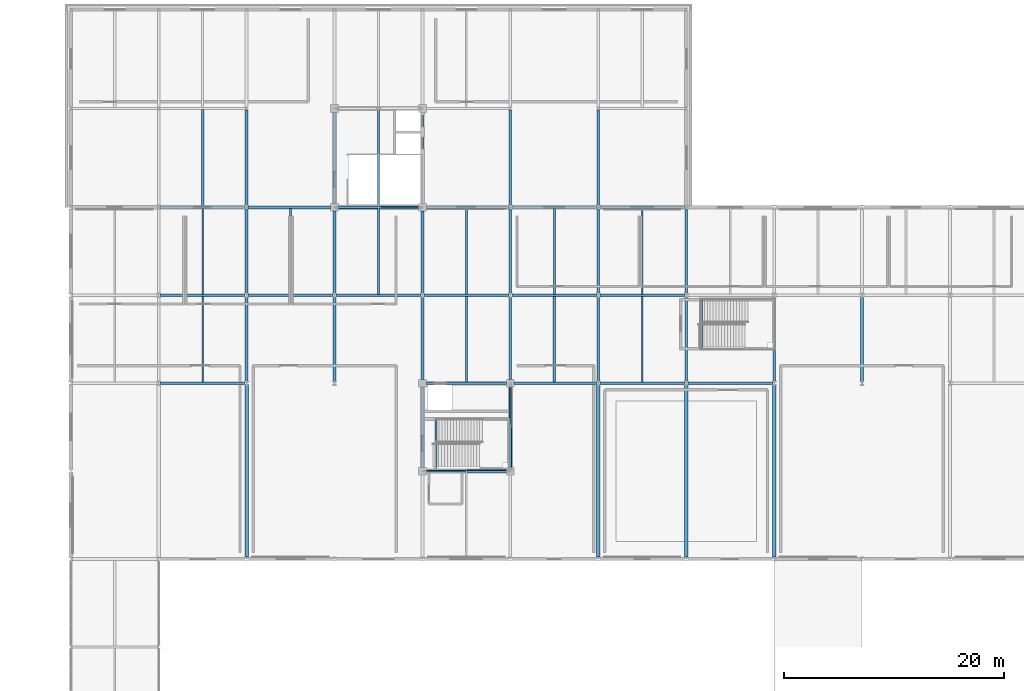
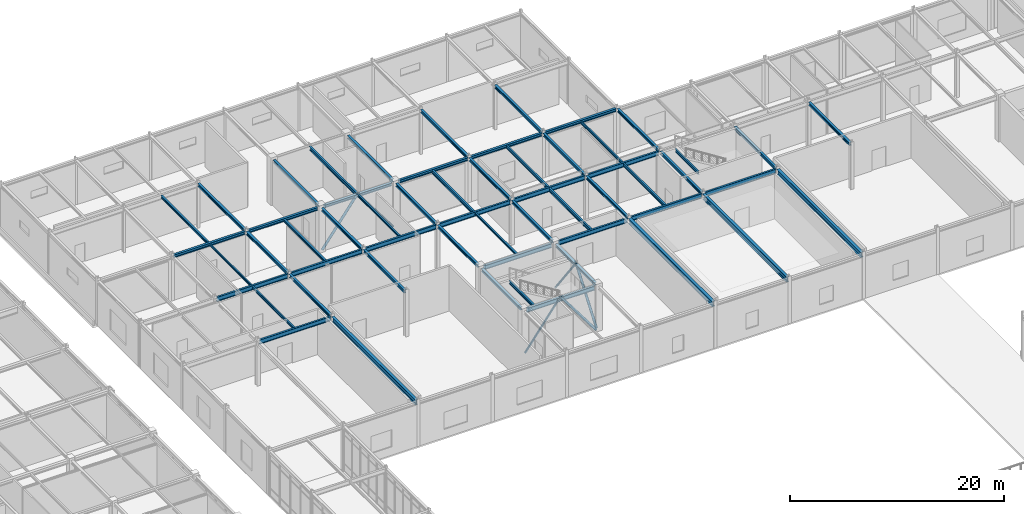
# One storey, part 46 of 108: 57 beams, 6 members.
"""IFC4 building model written with IfcOpenShell, lengths in metres."""

from ifc_helpers import new_model, si_unit, direction, frame, origin, origin_2d, place, context, subcontext, project, spatial, hollow_rectangle, hollow_circle, i_section, extrude, material, material_profile, profile_set, type_object, element, save


model = new_model("IFC4")

# Units and contexts
model_context = context("Model", 3, precision=1e-05, world=origin(), true_north=direction((0.0, 1.0)))
body_context = subcontext(model_context, "Body", "Model", "MODEL_VIEW")
ifc_project = project(units=[si_unit("LENGTHUNIT", "METRE"), si_unit("AREAUNIT", "SQUARE_METRE"), si_unit("VOLUMEUNIT", "CUBIC_METRE"), si_unit("PLANEANGLEUNIT", "RADIAN"), si_unit("MASSUNIT", "GRAM", prefix="KILO")], contexts=[model_context])

# Site, building, storey
site_placement = place(None, origin())
site = spatial("IfcSite", under=ifc_project, at=site_placement, CompositionType="ELEMENT")
building_placement = place(site_placement, origin())
building = spatial("IfcBuilding", under=site, at=building_placement, Name="Zhaolan Boulevard Law Courts", CompositionType="ELEMENT")
storey_placement = place(building_placement, frame((0.0, 0.0, 10.800048828125)))
storey = spatial("IfcBuildingStorey", under=building, at=storey_placement, Name="L02", CompositionType="ELEMENT", Elevation=10.800048828125)

# Members
ifc_material_1 = material(Name="Structural steel Q355B", Category="steel")
ifc_material_profile_1 = material_profile(ifc_material_1, hollow_circle(Radius=0.109619140625, WallThickness=0.008056640625, at=origin_2d()), Name="CHS219x8")
ifc_profile_set_1 = profile_set([ifc_material_profile_1], Name="Structural steel Q355B")
member_type_1 = type_object("IfcMemberType", Name="BRACE CHS219", PredefinedType="BRACE", material=ifc_profile_set_1)
for number, where, z_axis, x_axis, name in (
    (1, (92.0, 77.820068359375, 0.030029296875), (0.0, -0.60027004321, 0.79979739636), (1.0, 0.0, 0.0), "Core Brace BR-T1-L02-E2"),
    (2, (83.820068359375, 94.0, 0.030029296875), (-0.60027004321, 0.0, 0.79979739636), (0.0, -1.0, 0.0), "Core Brace BR-C1-L02-S2"),
):
    element("IfcMember", number, at=place(storey_placement, frame(where, z_axis=z_axis, x_axis=x_axis)), inside=storey, type_object=member_type_1, Name=name, PredefinedType="BRACE", context=body_context, shape_type="SweptSolid", body=[
        extrude(hollow_circle(Radius=0.109619140625, WallThickness=0.008056640625, at=origin_2d()), origin(), (0.0, 0.0, 1.0), 6.364013671875),
    ])
ifc_material_2 = material(Name="Structural steel Q355B", Category="steel")
ifc_material_profile_2 = material_profile(ifc_material_2, hollow_circle(Radius=0.136474609375, WallThickness=0.010009765625, at=origin_2d()), Name="CHS273x10")
ifc_profile_set_2 = profile_set([ifc_material_profile_2], Name="Structural steel Q355B")
member_type_2 = type_object("IfcMemberType", Name="BRACE CHS273", PredefinedType="BRACE", material=ifc_profile_set_2)
for number, where, z_axis, x_axis, name in (
    (3, (91.820068359375, 70.0, 0.030029296875), (-0.60027004321, 0.0, 0.79979739636), (0.0, -1.0, 0.0), "Core Brace BR-T1-L02-S2"),
    (4, (92.0, 70.179931640625, 0.030029296875), (0.0, 0.60027004321, 0.79979739636), (-1.0, 0.0, 0.0), "Core Brace BR-T1-L02-E1"),
    (5, (76.179931640625, 94.0, 0.030029296875), (0.60027004321, 0.0, 0.79979739636), (0.0, 1.0, 0.0), "Core Brace BR-C1-L02-S1"),
):
    element("IfcMember", number, at=place(storey_placement, frame(where, z_axis=z_axis, x_axis=x_axis)), inside=storey, type_object=member_type_2, Name=name, PredefinedType="BRACE", context=body_context, shape_type="SweptSolid", body=[
        extrude(hollow_circle(Radius=0.136474609375, WallThickness=0.010009765625, at=origin_2d()), origin(), (0.0, 0.0, 1.0), 6.364013671875),
    ])
ifc_material_3 = material(Name="Structural steel Q355B", Category="steel")
ifc_material_profile_3 = material_profile(ifc_material_3, hollow_rectangle(XDim=0.159912109375, YDim=0.159912109375, WallThickness=0.008056640625, InnerFilletRadius=0.008056640625, OuterFilletRadius=0.01611328125, at=origin_2d()), Name="HSS160x160x8")
ifc_profile_set_3 = profile_set([ifc_material_profile_3], Name="Structural steel Q355B")
member_type_3 = type_object("IfcMemberType", Name="BRACE HSS160", PredefinedType="BRACE", material=ifc_profile_set_3)
member_placement = place(storey_placement, frame((84.179931640625, 70.0, 0.030029296875), z_axis=(0.60027004321, 0.0, 0.79979739636), x_axis=(0.0, 1.0, 0.0)))
element("IfcMember", 6, at=member_placement, inside=storey, type_object=member_type_3, Name="Core Brace BR-T1-L02-S1", PredefinedType="BRACE", context=body_context, shape_type="SweptSolid", body=[
    extrude(hollow_rectangle(XDim=0.159912109375, YDim=0.159912109375, WallThickness=0.008056640625, InnerFilletRadius=0.008056640625, OuterFilletRadius=0.01611328125, at=origin_2d()), origin(), (0.0, 0.0, 1.0), 6.364013671875),
])

# Beams
ifc_material_4 = material(Name="Structural steel Q355B", Category="steel")
ifc_material_profile_4 = material_profile(ifc_material_4, i_section(OverallWidth=0.25, OverallDepth=0.340087890625, WebThickness=0.009033203125, FlangeThickness=0.013916015625, FilletRadius=0.01611328125, at=origin_2d()), Name="HM340x250")
ifc_profile_set_4 = profile_set([ifc_material_profile_4], Name="Structural steel Q355B")
beam_type_1 = type_object("IfcBeamType", Name="GIRDER HM340", PredefinedType="BEAM", material=ifc_profile_set_4)
for number, where, z_axis, x_axis, name in (
    (7, (68.0, 78.1708984375, 4.947998046875), (0.0, 1.0, 0.0), (-1.0, 0.0, 0.0), "Beam BY-L03-9-L-M"),
    (8, (68.0, 86.1708984375, 4.947998046875), (0.0, 1.0, 0.0), (-1.0, 0.0, 0.0), "Beam BY-L03-9-M-N"),
):
    element("IfcBeam", number, at=place(storey_placement, frame(where, z_axis=z_axis, x_axis=x_axis)), inside=storey, type_object=beam_type_1, Name=name, PredefinedType="BEAM", context=body_context, shape_type="SweptSolid", body=[
        extrude(i_section(OverallWidth=0.25, OverallDepth=0.340087890625, WebThickness=0.009033203125, FlangeThickness=0.013916015625, FilletRadius=0.01611328125, at=origin_2d()), origin(), (0.0, 0.0, 1.0), 7.658203125),
    ])
beam_1_placement = place(storey_placement, frame((68.0, 94.1708984375, 4.968017578125), z_axis=(0.0, 1.0, 0.0), x_axis=(-1.0, 0.0, 0.0)))
element("IfcBeam", 9, at=beam_1_placement, inside=storey, type_object=beam_type_1, Name="Beam BY-L03-9-N-P", PredefinedType="BEAM", context=body_context, shape_type="SweptSolid", body=[
    extrude(i_section(OverallWidth=0.25, OverallDepth=0.340087890625, WebThickness=0.009033203125, FlangeThickness=0.013916015625, FilletRadius=0.01611328125, at=origin_2d()), origin(), (0.0, 0.0, 1.0), 8.7080078125),
])
beam_2_placement = place(storey_placement, frame((76.0, 78.1708984375, 4.947998046875), z_axis=(0.0, 1.0, 0.0), x_axis=(-1.0, 0.0, 0.0)))
element("IfcBeam", 10, at=beam_2_placement, inside=storey, type_object=beam_type_1, Name="Beam BY-L03-10-L-M", PredefinedType="BEAM", context=body_context, shape_type="SweptSolid", body=[
    extrude(i_section(OverallWidth=0.25, OverallDepth=0.340087890625, WebThickness=0.009033203125, FlangeThickness=0.013916015625, FilletRadius=0.01611328125, at=origin_2d()), origin(), (0.0, 0.0, 1.0), 7.658203125),
])
beam_3_placement = place(storey_placement, frame((76.0, 86.1708984375, 4.947998046875), z_axis=(0.0, 1.0, 0.0), x_axis=(-1.0, 0.0, 0.0)))
element("IfcBeam", 11, at=beam_3_placement, inside=storey, type_object=beam_type_1, Name="Beam BY-L03-10-M-N", PredefinedType="BEAM", context=body_context, shape_type="SweptSolid", body=[
    extrude(i_section(OverallWidth=0.25, OverallDepth=0.340087890625, WebThickness=0.009033203125, FlangeThickness=0.013916015625, FilletRadius=0.01611328125, at=origin_2d()), origin(), (0.0, 0.0, 1.0), 7.483154296875),
])
beam_4_placement = place(storey_placement, frame((76.0, 94.345947265625, 4.968017578125), z_axis=(0.0, 1.0, 0.0), x_axis=(-1.0, 0.0, 0.0)))
element("IfcBeam", 12, at=beam_4_placement, inside=storey, type_object=beam_type_1, Name="Beam BY-L03-10-N-P", PredefinedType="BEAM", context=body_context, shape_type="SweptSolid", body=[
    extrude(i_section(OverallWidth=0.25, OverallDepth=0.340087890625, WebThickness=0.009033203125, FlangeThickness=0.013916015625, FilletRadius=0.01611328125, at=origin_2d()), origin(), (0.0, 0.0, 1.0), 8.30810546875),
])
beam_5_placement = place(storey_placement, frame((84.0, 70.345947265625, 4.947998046875), z_axis=(0.0, 1.0, 0.0), x_axis=(-1.0, 0.0, 0.0)))
element("IfcBeam", 13, at=beam_5_placement, inside=storey, type_object=beam_type_1, Name="Beam BY-L03-11-K-L", PredefinedType="BEAM", context=body_context, shape_type="SweptSolid", body=[
    extrude(i_section(OverallWidth=0.25, OverallDepth=0.340087890625, WebThickness=0.009033203125, FlangeThickness=0.013916015625, FilletRadius=0.01611328125, at=origin_2d()), origin(), (0.0, 0.0, 1.0), 7.30810546875),
])
for number, where, z_axis, x_axis, name in (
    (14, (84.0, 78.345947265625, 4.947998046875), (0.0, 1.0, 0.0), (-1.0, 0.0, 0.0), "Beam BY-L03-11-L-M"),
    (15, (84.0, 86.1708984375, 4.947998046875), (0.0, 1.0, 0.0), (-1.0, 0.0, 0.0), "Beam BY-L03-11-M-N"),
):
    element("IfcBeam", number, at=place(storey_placement, frame(where, z_axis=z_axis, x_axis=x_axis)), inside=storey, type_object=beam_type_1, Name=name, PredefinedType="BEAM", context=body_context, shape_type="SweptSolid", body=[
        extrude(i_section(OverallWidth=0.25, OverallDepth=0.340087890625, WebThickness=0.009033203125, FlangeThickness=0.013916015625, FilletRadius=0.01611328125, at=origin_2d()), origin(), (0.0, 0.0, 1.0), 7.483154296875),
    ])
beam_6_placement = place(storey_placement, frame((84.0, 94.345947265625, 4.968017578125), z_axis=(0.0, 1.0, 0.0), x_axis=(-1.0, 0.0, 0.0)))
element("IfcBeam", 16, at=beam_6_placement, inside=storey, type_object=beam_type_1, Name="Beam BY-L03-11-N-P", PredefinedType="BEAM", context=body_context, shape_type="SweptSolid", body=[
    extrude(i_section(OverallWidth=0.25, OverallDepth=0.340087890625, WebThickness=0.009033203125, FlangeThickness=0.013916015625, FilletRadius=0.01611328125, at=origin_2d()), origin(), (0.0, 0.0, 1.0), 8.30810546875),
])
beam_7_placement = place(storey_placement, frame((92.0, 70.345947265625, 4.947998046875), z_axis=(0.0, 1.0, 0.0), x_axis=(-1.0, 0.0, 0.0)))
element("IfcBeam", 17, at=beam_7_placement, inside=storey, type_object=beam_type_1, Name="Beam BY-L03-12-K-L", PredefinedType="BEAM", context=body_context, shape_type="SweptSolid", body=[
    extrude(i_section(OverallWidth=0.25, OverallDepth=0.340087890625, WebThickness=0.009033203125, FlangeThickness=0.013916015625, FilletRadius=0.01611328125, at=origin_2d()), origin(), (0.0, 0.0, 1.0), 7.30810546875),
])
beam_8_placement = place(storey_placement, frame((92.0, 78.345947265625, 4.947998046875), z_axis=(0.0, 1.0, 0.0), x_axis=(-1.0, 0.0, 0.0)))
element("IfcBeam", 18, at=beam_8_placement, inside=storey, type_object=beam_type_1, Name="Beam BY-L03-12-L-M", PredefinedType="BEAM", context=body_context, shape_type="SweptSolid", body=[
    extrude(i_section(OverallWidth=0.25, OverallDepth=0.340087890625, WebThickness=0.009033203125, FlangeThickness=0.013916015625, FilletRadius=0.01611328125, at=origin_2d()), origin(), (0.0, 0.0, 1.0), 7.483154296875),
])
beam_9_placement = place(storey_placement, frame((92.0, 86.1708984375, 4.947998046875), z_axis=(0.0, 1.0, 0.0), x_axis=(-1.0, 0.0, 0.0)))
element("IfcBeam", 19, at=beam_9_placement, inside=storey, type_object=beam_type_1, Name="Beam BY-L03-12-M-N", PredefinedType="BEAM", context=body_context, shape_type="SweptSolid", body=[
    extrude(i_section(OverallWidth=0.25, OverallDepth=0.340087890625, WebThickness=0.009033203125, FlangeThickness=0.013916015625, FilletRadius=0.01611328125, at=origin_2d()), origin(), (0.0, 0.0, 1.0), 7.658203125),
])
beam_10_placement = place(storey_placement, frame((92.0, 94.1708984375, 4.968017578125), z_axis=(0.0, 1.0, 0.0), x_axis=(-1.0, 0.0, 0.0)))
element("IfcBeam", 20, at=beam_10_placement, inside=storey, type_object=beam_type_1, Name="Beam BY-L03-12-N-P", PredefinedType="BEAM", context=body_context, shape_type="SweptSolid", body=[
    extrude(i_section(OverallWidth=0.25, OverallDepth=0.340087890625, WebThickness=0.009033203125, FlangeThickness=0.013916015625, FilletRadius=0.01611328125, at=origin_2d()), origin(), (0.0, 0.0, 1.0), 8.7080078125),
])
for number, where, z_axis, x_axis, name in (
    (21, (100.0, 78.1708984375, 4.947998046875), (0.0, 1.0, 0.0), (-1.0, 0.0, 0.0), "Beam BY-L03-13-L-M"),
    (22, (100.0, 86.1708984375, 4.947998046875), (0.0, 1.0, 0.0), (-1.0, 0.0, 0.0), "Beam BY-L03-13-M-N"),
):
    element("IfcBeam", number, at=place(storey_placement, frame(where, z_axis=z_axis, x_axis=x_axis)), inside=storey, type_object=beam_type_1, Name=name, PredefinedType="BEAM", context=body_context, shape_type="SweptSolid", body=[
        extrude(i_section(OverallWidth=0.25, OverallDepth=0.340087890625, WebThickness=0.009033203125, FlangeThickness=0.013916015625, FilletRadius=0.01611328125, at=origin_2d()), origin(), (0.0, 0.0, 1.0), 7.658203125),
    ])
beam_11_placement = place(storey_placement, frame((100.0, 94.1708984375, 4.968017578125), z_axis=(0.0, 1.0, 0.0), x_axis=(-1.0, 0.0, 0.0)))
element("IfcBeam", 23, at=beam_11_placement, inside=storey, type_object=beam_type_1, Name="Beam BY-L03-13-N-P", PredefinedType="BEAM", context=body_context, shape_type="SweptSolid", body=[
    extrude(i_section(OverallWidth=0.25, OverallDepth=0.340087890625, WebThickness=0.009033203125, FlangeThickness=0.013916015625, FilletRadius=0.01611328125, at=origin_2d()), origin(), (0.0, 0.0, 1.0), 8.7080078125),
])
for number, where, z_axis, x_axis, name in (
    (24, (108.0, 78.1708984375, 4.947998046875), (0.0, 1.0, 0.0), (-1.0, 0.0, 0.0), "Beam BY-L03-14-L-M"),
    (25, (108.0, 86.1708984375, 4.947998046875), (0.0, 1.0, 0.0), (-1.0, 0.0, 0.0), "Beam BY-L03-14-M-N"),
    (26, (116.0, 78.1708984375, 4.947998046875), (0.0, 1.0, 0.0), (-1.0, 0.0, 0.0), "Beam BY-L03-15-L-M"),
    (27, (124.0, 78.1708984375, 4.947998046875), (0.0, 1.0, 0.0), (-1.0, 0.0, 0.0), "Beam BY-L03-16-L-M"),
):
    element("IfcBeam", number, at=place(storey_placement, frame(where, z_axis=z_axis, x_axis=x_axis)), inside=storey, type_object=beam_type_1, Name=name, PredefinedType="BEAM", context=body_context, shape_type="SweptSolid", body=[
        extrude(i_section(OverallWidth=0.25, OverallDepth=0.340087890625, WebThickness=0.009033203125, FlangeThickness=0.013916015625, FilletRadius=0.01611328125, at=origin_2d()), origin(), (0.0, 0.0, 1.0), 7.658203125),
    ])
ifc_material_5 = material(Name="Structural steel Q390B", Category="steel")
ifc_material_profile_5 = material_profile(ifc_material_5, i_section(OverallWidth=0.300048828125, OverallDepth=0.587890625, WebThickness=0.011962890625, FlangeThickness=0.02001953125, FilletRadius=0.02392578125, at=origin_2d()), Name="HM588x300")
ifc_profile_set_5 = profile_set([ifc_material_profile_5], Name="Structural steel Q390B")
beam_type_2 = type_object("IfcBeamType", Name="GIRDER HM588", PredefinedType="BEAM", material=ifc_profile_set_5)
for number, where, z_axis, x_axis, name in (
    (28, (68.0, 62.1708984375, 4.823974609375), (0.0, 1.0, 0.0), (-1.0, 0.0, 0.0), "Beam BY-L03-9-J-L"),
    (29, (100.0, 62.1708984375, 4.823974609375), (0.0, 1.0, 0.0), (-1.0, 0.0, 0.0), "Beam BY-L03-13-J-L"),
    (30, (108.0, 62.1708984375, 4.823974609375), (0.0, 1.0, 0.0), (-1.0, 0.0, 0.0), "Beam BY-L03-14-J-L"),
    (31, (116.0, 62.1708984375, 4.823974609375), (0.0, 1.0, 0.0), (-1.0, 0.0, 0.0), "Beam BY-L03-15-J-L"),
):
    element("IfcBeam", number, at=place(storey_placement, frame(where, z_axis=z_axis, x_axis=x_axis)), inside=storey, type_object=beam_type_2, Name=name, PredefinedType="BEAM", context=body_context, shape_type="SweptSolid", body=[
        extrude(i_section(OverallWidth=0.300048828125, OverallDepth=0.587890625, WebThickness=0.011962890625, FlangeThickness=0.02001953125, FilletRadius=0.02392578125, at=origin_2d()), origin(), (0.0, 0.0, 1.0), 15.658203125),
    ])
ifc_material_6 = material(Name="Structural steel Q355B", Category="steel")
ifc_material_profile_6 = material_profile(ifc_material_6, i_section(OverallWidth=0.199951171875, OverallDepth=0.5, WebThickness=0.010009765625, FlangeThickness=0.01611328125, FilletRadius=0.01806640625, at=origin_2d()), Name="HN500x200")
ifc_profile_set_6 = profile_set([ifc_material_profile_6], Name="Structural steel Q355B")
beam_type_3 = type_object("IfcBeamType", Name="GIRDER HN500", PredefinedType="BEAM", material=ifc_profile_set_6)
beam_12_placement = place(storey_placement, frame((84.345947265625, 70.0, 4.867919921875), z_axis=(1.0, 0.0, 0.0), x_axis=(0.0, 1.0, 0.0)))
element("IfcBeam", 32, at=beam_12_placement, inside=storey, type_object=beam_type_3, Name="Beam BX-L03-11-12-K", PredefinedType="BEAM", context=body_context, shape_type="SweptSolid", body=[
    extrude(i_section(OverallWidth=0.199951171875, OverallDepth=0.5, WebThickness=0.010009765625, FlangeThickness=0.01611328125, FilletRadius=0.01806640625, at=origin_2d()), origin(), (0.0, 0.0, 1.0), 7.30810546875),
])
beam_13_placement = place(storey_placement, frame((60.1708984375, 78.0, 4.867919921875), z_axis=(1.0, 0.0, 0.0), x_axis=(0.0, 1.0, 0.0)))
element("IfcBeam", 33, at=beam_13_placement, inside=storey, type_object=beam_type_3, Name="Beam BX-L03-8-9-L", PredefinedType="BEAM", context=body_context, shape_type="SweptSolid", body=[
    extrude(i_section(OverallWidth=0.199951171875, OverallDepth=0.5, WebThickness=0.010009765625, FlangeThickness=0.01611328125, FilletRadius=0.01806640625, at=origin_2d()), origin(), (0.0, 0.0, 1.0), 7.658203125),
])
beam_14_placement = place(storey_placement, frame((84.345947265625, 78.0, 4.867919921875), z_axis=(1.0, 0.0, 0.0), x_axis=(0.0, 1.0, 0.0)))
element("IfcBeam", 34, at=beam_14_placement, inside=storey, type_object=beam_type_3, Name="Beam BX-L03-11-12-L", PredefinedType="BEAM", context=body_context, shape_type="SweptSolid", body=[
    extrude(i_section(OverallWidth=0.199951171875, OverallDepth=0.5, WebThickness=0.010009765625, FlangeThickness=0.01611328125, FilletRadius=0.01806640625, at=origin_2d()), origin(), (0.0, 0.0, 1.0), 7.30810546875),
])
beam_15_placement = place(storey_placement, frame((92.345947265625, 78.0, 4.867919921875), z_axis=(1.0, 0.0, 0.0), x_axis=(0.0, 1.0, 0.0)))
element("IfcBeam", 35, at=beam_15_placement, inside=storey, type_object=beam_type_3, Name="Beam BX-L03-12-13-L", PredefinedType="BEAM", context=body_context, shape_type="SweptSolid", body=[
    extrude(i_section(OverallWidth=0.199951171875, OverallDepth=0.5, WebThickness=0.010009765625, FlangeThickness=0.01611328125, FilletRadius=0.01806640625, at=origin_2d()), origin(), (0.0, 0.0, 1.0), 7.483154296875),
])
for number, where, z_axis, x_axis, name in (
    (36, (100.1708984375, 78.0, 4.867919921875), (1.0, 0.0, 0.0), (0.0, 1.0, 0.0), "Beam BX-L03-13-14-L"),
    (37, (108.1708984375, 78.0, 4.867919921875), (1.0, 0.0, 0.0), (0.0, 1.0, 0.0), "Beam BX-L03-14-15-L"),
    (38, (60.1708984375, 86.0, 4.867919921875), (1.0, 0.0, 0.0), (0.0, 1.0, 0.0), "Beam BX-L03-8-9-M"),
    (39, (68.1708984375, 86.0, 4.867919921875), (1.0, 0.0, 0.0), (0.0, 1.0, 0.0), "Beam BX-L03-9-10-M"),
    (40, (76.1708984375, 86.0, 4.867919921875), (1.0, 0.0, 0.0), (0.0, 1.0, 0.0), "Beam BX-L03-10-11-M"),
    (41, (84.1708984375, 86.0, 4.867919921875), (1.0, 0.0, 0.0), (0.0, 1.0, 0.0), "Beam BX-L03-11-12-M"),
    (42, (92.1708984375, 86.0, 4.867919921875), (1.0, 0.0, 0.0), (0.0, 1.0, 0.0), "Beam BX-L03-12-13-M"),
    (43, (100.1708984375, 86.0, 4.867919921875), (1.0, 0.0, 0.0), (0.0, 1.0, 0.0), "Beam BX-L03-13-14-M"),
):
    element("IfcBeam", number, at=place(storey_placement, frame(where, z_axis=z_axis, x_axis=x_axis)), inside=storey, type_object=beam_type_3, Name=name, PredefinedType="BEAM", context=body_context, shape_type="SweptSolid", body=[
        extrude(i_section(OverallWidth=0.199951171875, OverallDepth=0.5, WebThickness=0.010009765625, FlangeThickness=0.01611328125, FilletRadius=0.01806640625, at=origin_2d()), origin(), (0.0, 0.0, 1.0), 7.658203125),
    ])
ifc_material_7 = material(Name="Structural steel Q355B", Category="steel")
ifc_material_profile_7 = material_profile(ifc_material_7, i_section(OverallWidth=0.175048828125, OverallDepth=0.243896484375, WebThickness=0.007080078125, FlangeThickness=0.010986328125, FilletRadius=0.012939453125, at=origin_2d()), Name="HM244x175")
ifc_profile_set_7 = profile_set([ifc_material_profile_7], Name="Structural steel Q355B")
beam_type_4 = type_object("IfcBeamType", Name="JOIST HM244", PredefinedType="JOIST", material=ifc_profile_set_7)
beam_16_placement = place(storey_placement, frame((80.0, 86.095947265625, 4.995849609375), z_axis=(0.0, 1.0, 0.0), x_axis=(-1.0, 0.0, 0.0)))
element("IfcBeam", 44, at=beam_16_placement, inside=storey, type_object=beam_type_4, Name="Composite Joist J-L03-10M", PredefinedType="JOIST", context=body_context, shape_type="SweptSolid", body=[
    extrude(i_section(OverallWidth=0.175048828125, OverallDepth=0.243896484375, WebThickness=0.007080078125, FlangeThickness=0.010986328125, FilletRadius=0.012939453125, at=origin_2d()), origin(), (0.0, 0.0, 1.0), 7.782958984375),
])
beam_17_placement = place(storey_placement, frame((88.0, 78.095947265625, 4.995849609375), z_axis=(0.0, 1.0, 0.0), x_axis=(-1.0, 0.0, 0.0)))
element("IfcBeam", 45, at=beam_17_placement, inside=storey, type_object=beam_type_4, Name="Composite Joist J-L03-11L", PredefinedType="JOIST", context=body_context, shape_type="SweptSolid", body=[
    extrude(i_section(OverallWidth=0.175048828125, OverallDepth=0.243896484375, WebThickness=0.007080078125, FlangeThickness=0.010986328125, FilletRadius=0.012939453125, at=origin_2d()), origin(), (0.0, 0.0, 1.0), 7.80810546875),
])
ifc_material_8 = material(Name="Structural steel Q355B", Category="steel")
ifc_material_profile_8 = material_profile(ifc_material_8, i_section(OverallWidth=0.199951171875, OverallDepth=0.2939453125, WebThickness=0.008056640625, FlangeThickness=0.011962890625, FilletRadius=0.01611328125, at=origin_2d()), Name="HM294x200")
ifc_profile_set_8 = profile_set([ifc_material_profile_8], Name="Structural steel Q355B")
beam_type_5 = type_object("IfcBeamType", Name="JOIST HM294", PredefinedType="JOIST", material=ifc_profile_set_8)
beam_18_placement = place(storey_placement, frame((64.0, 94.12109375, 4.990966796875), z_axis=(0.0, 1.0, 0.0), x_axis=(-1.0, 0.0, 0.0)))
element("IfcBeam", 46, at=beam_18_placement, inside=storey, type_object=beam_type_5, Name="Composite Joist J-L03-8N", PredefinedType="JOIST", context=body_context, shape_type="SweptSolid", body=[
    extrude(i_section(OverallWidth=0.199951171875, OverallDepth=0.2939453125, WebThickness=0.008056640625, FlangeThickness=0.011962890625, FilletRadius=0.01611328125, at=origin_2d()), origin(), (0.0, 0.0, 1.0), 8.782958984375),
])
beam_19_placement = place(storey_placement, frame((72.0, 86.095947265625, 4.970947265625), z_axis=(0.0, 1.0, 0.0), x_axis=(-1.0, 0.0, 0.0)))
element("IfcBeam", 47, at=beam_19_placement, inside=storey, type_object=beam_type_5, Name="Composite Joist J-L03-9M", PredefinedType="JOIST", context=body_context, shape_type="SweptSolid", body=[
    extrude(i_section(OverallWidth=0.199951171875, OverallDepth=0.2939453125, WebThickness=0.008056640625, FlangeThickness=0.011962890625, FilletRadius=0.01611328125, at=origin_2d()), origin(), (0.0, 0.0, 1.0), 7.782958984375),
])
ifc_material_9 = material(Name="Structural steel Q355B", Category="steel")
ifc_material_profile_9 = material_profile(ifc_material_9, i_section(OverallWidth=0.125, OverallDepth=0.25, WebThickness=0.006103515625, FlangeThickness=0.009033203125, FilletRadius=0.010009765625, at=origin_2d()), Name="HN250x125")
ifc_profile_set_9 = profile_set([ifc_material_profile_9], Name="Structural steel Q355B")
beam_type_6 = type_object("IfcBeamType", Name="JOIST HN250", PredefinedType="JOIST", material=ifc_profile_set_9)
beam_20_placement = place(storey_placement, frame((64.0, 86.095947265625, 4.992919921875), z_axis=(0.0, 1.0, 0.0), x_axis=(-1.0, 0.0, 0.0)))
element("IfcBeam", 48, at=beam_20_placement, inside=storey, type_object=beam_type_6, Name="Composite Joist J-L03-8M", PredefinedType="JOIST", context=body_context, shape_type="SweptSolid", body=[
    extrude(i_section(OverallWidth=0.125, OverallDepth=0.25, WebThickness=0.006103515625, FlangeThickness=0.009033203125, FilletRadius=0.010009765625, at=origin_2d()), origin(), (0.0, 0.0, 1.0), 7.782958984375),
])
ifc_material_10 = material(Name="Structural steel Q355B", Category="steel")
ifc_material_profile_10 = material_profile(ifc_material_10, i_section(OverallWidth=0.14990234375, OverallDepth=0.300048828125, WebThickness=0.006591796875, FlangeThickness=0.009033203125, FilletRadius=0.010986328125, at=origin_2d()), Name="HN300x150")
ifc_profile_set_10 = profile_set([ifc_material_profile_10], Name="Structural steel Q355B")
beam_type_7 = type_object("IfcBeamType", Name="JOIST HN300", PredefinedType="JOIST", material=ifc_profile_set_10)
beam_21_placement = place(storey_placement, frame((64.0, 78.095947265625, 4.968017578125), z_axis=(0.0, 1.0, 0.0), x_axis=(-1.0, 0.0, 0.0)))
element("IfcBeam", 49, at=beam_21_placement, inside=storey, type_object=beam_type_7, Name="Composite Joist J-L03-8L", PredefinedType="JOIST", context=body_context, shape_type="SweptSolid", body=[
    extrude(i_section(OverallWidth=0.14990234375, OverallDepth=0.300048828125, WebThickness=0.006591796875, FlangeThickness=0.009033203125, FilletRadius=0.010986328125, at=origin_2d()), origin(), (0.0, 0.0, 1.0), 7.80810546875),
])
beam_22_placement = place(storey_placement, frame((104.0, 86.095947265625, 4.968017578125), z_axis=(0.0, 1.0, 0.0), x_axis=(-1.0, 0.0, 0.0)))
element("IfcBeam", 50, at=beam_22_placement, inside=storey, type_object=beam_type_7, Name="Composite Joist J-L03-13M", PredefinedType="JOIST", context=body_context, shape_type="SweptSolid", body=[
    extrude(i_section(OverallWidth=0.14990234375, OverallDepth=0.300048828125, WebThickness=0.006591796875, FlangeThickness=0.009033203125, FilletRadius=0.010986328125, at=origin_2d()), origin(), (0.0, 0.0, 1.0), 7.782958984375),
])
ifc_material_11 = material(Name="Structural steel Q355B", Category="steel")
ifc_material_profile_11 = material_profile(ifc_material_11, i_section(OverallWidth=0.175048828125, OverallDepth=0.35009765625, WebThickness=0.007080078125, FlangeThickness=0.010986328125, FilletRadius=0.012939453125, at=origin_2d()), Name="HN350x175")
ifc_profile_set_11 = profile_set([ifc_material_profile_11], Name="Structural steel Q355B")
beam_type_8 = type_object("IfcBeamType", Name="JOIST HN350", PredefinedType="JOIST", material=ifc_profile_set_11)
beam_23_placement = place(storey_placement, frame((96.0, 86.095947265625, 4.94287109375), z_axis=(0.0, 1.0, 0.0), x_axis=(-1.0, 0.0, 0.0)))
element("IfcBeam", 51, at=beam_23_placement, inside=storey, type_object=beam_type_8, Name="Composite Joist J-L03-12M", PredefinedType="JOIST", context=body_context, shape_type="SweptSolid", body=[
    extrude(i_section(OverallWidth=0.175048828125, OverallDepth=0.35009765625, WebThickness=0.007080078125, FlangeThickness=0.010986328125, FilletRadius=0.012939453125, at=origin_2d()), origin(), (0.0, 0.0, 1.0), 7.782958984375),
])
beam_24_placement = place(storey_placement, frame((104.0, 78.095947265625, 4.94287109375), z_axis=(0.0, 1.0, 0.0), x_axis=(-1.0, 0.0, 0.0)))
element("IfcBeam", 52, at=beam_24_placement, inside=storey, type_object=beam_type_8, Name="Composite Joist J-L03-13L", PredefinedType="JOIST", context=body_context, shape_type="SweptSolid", body=[
    extrude(i_section(OverallWidth=0.175048828125, OverallDepth=0.35009765625, WebThickness=0.007080078125, FlangeThickness=0.010986328125, FilletRadius=0.012939453125, at=origin_2d()), origin(), (0.0, 0.0, 1.0), 7.80810546875),
])
ifc_material_12 = material(Name="Structural steel Q355B", Category="steel")
ifc_material_profile_12 = material_profile(ifc_material_12, i_section(OverallWidth=0.199951171875, OverallDepth=0.39990234375, WebThickness=0.008056640625, FlangeThickness=0.012939453125, FilletRadius=0.013916015625, at=origin_2d()), Name="HN400x200")
ifc_profile_set_12 = profile_set([ifc_material_profile_12], Name="Structural steel Q355B")
beam_type_9 = type_object("IfcBeamType", Name="JOIST HN400", PredefinedType="JOIST", material=ifc_profile_set_12)
beam_25_placement = place(storey_placement, frame((80.0, 94.12109375, 4.93798828125), z_axis=(0.0, 1.0, 0.0), x_axis=(-1.0, 0.0, 0.0)))
element("IfcBeam", 53, at=beam_25_placement, inside=storey, type_object=beam_type_9, Name="Composite Joist J-L03-10N", PredefinedType="JOIST", context=body_context, shape_type="SweptSolid", body=[
    extrude(i_section(OverallWidth=0.199951171875, OverallDepth=0.39990234375, WebThickness=0.008056640625, FlangeThickness=0.012939453125, FilletRadius=0.013916015625, at=origin_2d()), origin(), (0.0, 0.0, 1.0), 8.782958984375),
])
beam_26_placement = place(storey_placement, frame((88.0, 86.095947265625, 4.91796875), z_axis=(0.0, 1.0, 0.0), x_axis=(-1.0, 0.0, 0.0)))
element("IfcBeam", 54, at=beam_26_placement, inside=storey, type_object=beam_type_9, Name="Composite Joist J-L03-11M", PredefinedType="JOIST", context=body_context, shape_type="SweptSolid", body=[
    extrude(i_section(OverallWidth=0.199951171875, OverallDepth=0.39990234375, WebThickness=0.008056640625, FlangeThickness=0.012939453125, FilletRadius=0.013916015625, at=origin_2d()), origin(), (0.0, 0.0, 1.0), 7.782958984375),
])
beam_27_placement = place(storey_placement, frame((96.0, 78.095947265625, 4.91796875), z_axis=(0.0, 1.0, 0.0), x_axis=(-1.0, 0.0, 0.0)))
element("IfcBeam", 55, at=beam_27_placement, inside=storey, type_object=beam_type_9, Name="Composite Joist J-L03-12L", PredefinedType="JOIST", context=body_context, shape_type="SweptSolid", body=[
    extrude(i_section(OverallWidth=0.199951171875, OverallDepth=0.39990234375, WebThickness=0.008056640625, FlangeThickness=0.012939453125, FilletRadius=0.013916015625, at=origin_2d()), origin(), (0.0, 0.0, 1.0), 7.80810546875),
])
ifc_material_13 = material(Name="Structural steel Q355B", Category="steel")
ifc_material_profile_13 = material_profile(ifc_material_13, i_section(OverallWidth=0.25, OverallDepth=0.340087890625, WebThickness=0.009033203125, FlangeThickness=0.013916015625, FilletRadius=0.01611328125, at=origin_2d()), Name="HM340x250")
ifc_profile_set_13 = profile_set([ifc_material_profile_13], Name="Structural steel Q355B")
beam_type_10 = type_object("IfcBeamType", Name="SPANDREL HM340", PredefinedType="SPANDREL", material=ifc_profile_set_13)
beam_28_placement = place(storey_placement, frame((60.1708984375, 94.0, 4.947998046875), z_axis=(1.0, 0.0, 0.0), x_axis=(0.0, 1.0, 0.0)))
element("IfcBeam", 56, at=beam_28_placement, inside=storey, type_object=beam_type_10, Name="Beam BX-L03-8-9-N", PredefinedType="SPANDREL", context=body_context, shape_type="SweptSolid", body=[
    extrude(i_section(OverallWidth=0.25, OverallDepth=0.340087890625, WebThickness=0.009033203125, FlangeThickness=0.013916015625, FilletRadius=0.01611328125, at=origin_2d()), origin(), (0.0, 0.0, 1.0), 7.658203125),
])
beam_29_placement = place(storey_placement, frame((68.1708984375, 94.0, 4.947998046875), z_axis=(1.0, 0.0, 0.0), x_axis=(0.0, 1.0, 0.0)))
element("IfcBeam", 57, at=beam_29_placement, inside=storey, type_object=beam_type_10, Name="Beam BX-L03-9-10-N", PredefinedType="SPANDREL", context=body_context, shape_type="SweptSolid", body=[
    extrude(i_section(OverallWidth=0.25, OverallDepth=0.340087890625, WebThickness=0.009033203125, FlangeThickness=0.013916015625, FilletRadius=0.01611328125, at=origin_2d()), origin(), (0.0, 0.0, 1.0), 7.483154296875),
])
beam_30_placement = place(storey_placement, frame((76.345947265625, 94.0, 4.947998046875), z_axis=(1.0, 0.0, 0.0), x_axis=(0.0, 1.0, 0.0)))
element("IfcBeam", 58, at=beam_30_placement, inside=storey, type_object=beam_type_10, Name="Beam BX-L03-10-11-N", PredefinedType="SPANDREL", context=body_context, shape_type="SweptSolid", body=[
    extrude(i_section(OverallWidth=0.25, OverallDepth=0.340087890625, WebThickness=0.009033203125, FlangeThickness=0.013916015625, FilletRadius=0.01611328125, at=origin_2d()), origin(), (0.0, 0.0, 1.0), 7.30810546875),
])
beam_31_placement = place(storey_placement, frame((84.345947265625, 94.0, 4.947998046875), z_axis=(1.0, 0.0, 0.0), x_axis=(0.0, 1.0, 0.0)))
element("IfcBeam", 59, at=beam_31_placement, inside=storey, type_object=beam_type_10, Name="Beam BX-L03-11-12-N", PredefinedType="SPANDREL", context=body_context, shape_type="SweptSolid", body=[
    extrude(i_section(OverallWidth=0.25, OverallDepth=0.340087890625, WebThickness=0.009033203125, FlangeThickness=0.013916015625, FilletRadius=0.01611328125, at=origin_2d()), origin(), (0.0, 0.0, 1.0), 7.483154296875),
])
for number, where, z_axis, x_axis, name in (
    (60, (92.1708984375, 94.0, 4.947998046875), (1.0, 0.0, 0.0), (0.0, 1.0, 0.0), "Beam BX-L03-12-13-N"),
    (61, (100.1708984375, 94.0, 4.947998046875), (1.0, 0.0, 0.0), (0.0, 1.0, 0.0), "Beam BX-L03-13-14-N"),
):
    element("IfcBeam", number, at=place(storey_placement, frame(where, z_axis=z_axis, x_axis=x_axis)), inside=storey, type_object=beam_type_10, Name=name, PredefinedType="SPANDREL", context=body_context, shape_type="SweptSolid", body=[
        extrude(i_section(OverallWidth=0.25, OverallDepth=0.340087890625, WebThickness=0.009033203125, FlangeThickness=0.013916015625, FilletRadius=0.01611328125, at=origin_2d()), origin(), (0.0, 0.0, 1.0), 7.658203125),
    ])
ifc_material_14 = material(Name="Structural steel Q355B", Category="steel")
ifc_material_profile_14 = material_profile(ifc_material_14, i_section(OverallWidth=0.175048828125, OverallDepth=0.35009765625, WebThickness=0.007080078125, FlangeThickness=0.010986328125, FilletRadius=0.012939453125, at=origin_2d()), Name="HN350x175")
ifc_profile_set_14 = profile_set([ifc_material_profile_14], Name="Structural steel Q355B")
beam_type_11 = type_object("IfcBeamType", Name="STAIR TRIMMER HN350", PredefinedType="BEAM", material=ifc_profile_set_14)
beam_32_placement = place(storey_placement, frame((85.235107421875, 70.1650390625, 4.93505859375), z_axis=(0.0, 1.0, 0.0), x_axis=(-1.0, 0.0, 0.0)))
element("IfcBeam", 62, at=beam_32_placement, inside=storey, type_object=beam_type_11, Name="Stair Landing Trimmer Beam STB-ST08-L03", PredefinedType="BEAM", context=body_context, shape_type="SweptSolid", body=[
    extrude(i_section(OverallWidth=0.175048828125, OverallDepth=0.35009765625, WebThickness=0.007080078125, FlangeThickness=0.010986328125, FilletRadius=0.012939453125, at=origin_2d()), origin(), (0.0, 0.0, 1.0), 4.544921875),
])
beam_33_placement = place(storey_placement, frame((109.385009765625, 81.199951171875, 4.93505859375), z_axis=(0.0, 1.0, 0.0), x_axis=(-1.0, 0.0, 0.0)))
element("IfcBeam", 63, at=beam_33_placement, inside=storey, type_object=beam_type_11, Name="Stair Landing Trimmer Beam STB-ST13-L03", PredefinedType="BEAM", context=body_context, shape_type="SweptSolid", body=[
    extrude(i_section(OverallWidth=0.175048828125, OverallDepth=0.35009765625, WebThickness=0.007080078125, FlangeThickness=0.010986328125, FilletRadius=0.012939453125, at=origin_2d()), origin(), (0.0, 0.0, 1.0), 4.35009765625),
])

save(model, "model.ifc")
